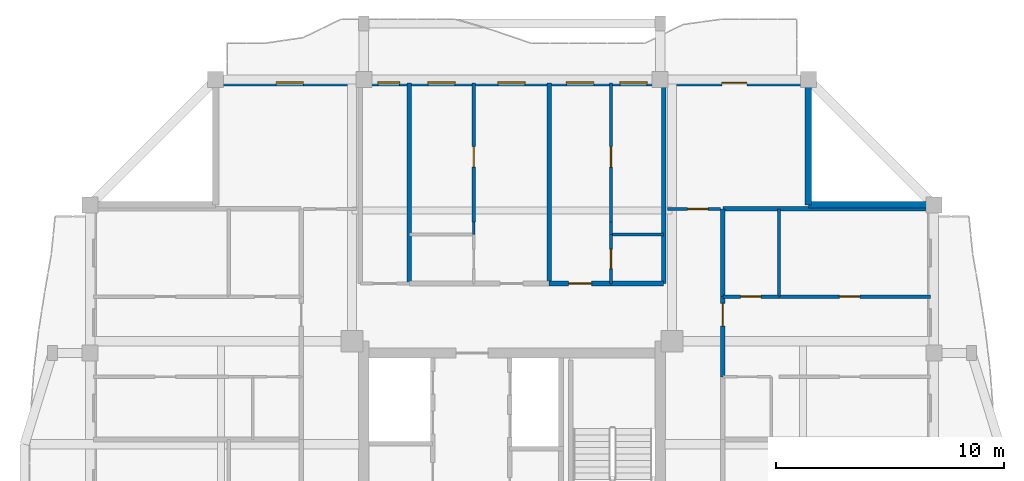
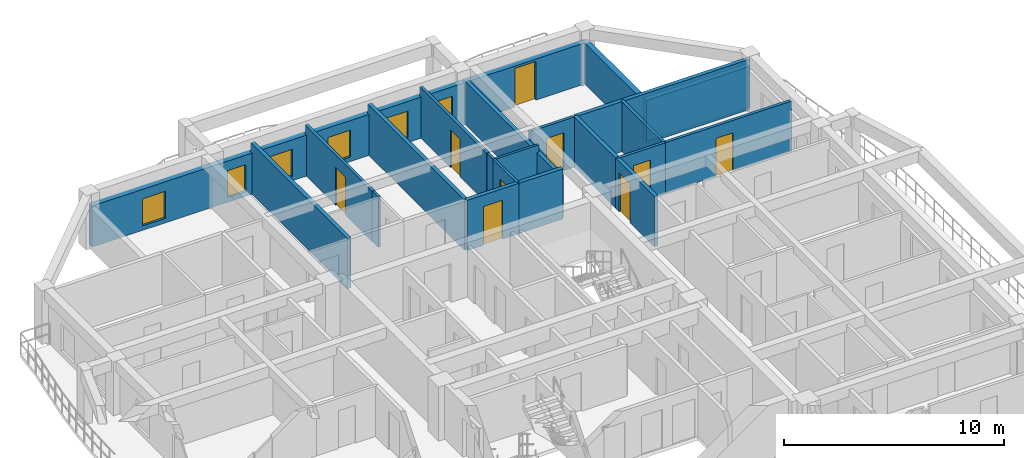
# One storey, part 7 of 14: 21 walls, 9 doors, 6 windows, 15 openings.
"""IFC4 building model written with IfcOpenShell, lengths in metres."""

from ifc_helpers import new_model, si_unit, direction, frame, frame_2d, origin, place, context, subcontext, project, spatial, rectangle, extrude, source, transform, mapped, material, layer, layer_set, type_object, element, fill, save


model = new_model("IFC4")

# Units and contexts
model_context = context("Model", 3, precision=1e-05, world=origin(), true_north=direction((0.0, 1.0)))
body_context = subcontext(model_context, "Body", "Model", "MODEL_VIEW")
ifc_project = project(units=[si_unit("LENGTHUNIT", "METRE"), si_unit("AREAUNIT", "SQUARE_METRE"), si_unit("VOLUMEUNIT", "CUBIC_METRE"), si_unit("PLANEANGLEUNIT", "RADIAN"), si_unit("MASSUNIT", "GRAM", prefix="KILO")], contexts=[model_context])

# Site, building, storey
site_placement = place(None, origin())
site = spatial("IfcSite", under=ifc_project, at=site_placement, CompositionType="ELEMENT")
building_placement = place(site_placement, origin())
building = spatial("IfcBuilding", under=site, at=building_placement, Name="Saelheon Loggia Tower", CompositionType="ELEMENT")
storey_placement = place(building_placement, frame((0.0, 0.0, 213.300048828125)))
storey = spatial("IfcBuildingStorey", under=building, at=storey_placement, Name="L66", CompositionType="ELEMENT", Elevation=213.300048828125)

# Wall, openings, windows, door
ifc_material_1 = material(Name="Architectural Precast Concrete C40/50", Category="concrete")
ifc_layer_1 = layer(ifc_material_1, 0.280029296875)
ifc_layer_set_1 = layer_set([ifc_layer_1], Name="Architectural Precast Concrete C40/50")
wall_type_1 = type_object("IfcWallType", Name="Wall_Ext_Loggia_280", PredefinedType="SOLIDWALL", material=ifc_layer_set_1)
wall_1_placement = place(storey_placement, frame((25.0, 47.860107421875, 0.0), z_axis=(0.0, 0.0, 1.0), x_axis=(1.0, 0.0, 0.0)))
wall_1 = element("IfcWall", 1, at=wall_1_placement, inside=storey, type_object=wall_type_1, Name="L66 North Loggia Inner Wall", PredefinedType="SOLIDWALL", context=body_context, shape_type="SweptSolid", body=[
    extrude(rectangle(XDim=26.0, YDim=0.280029296875, at=frame_2d((13.0, 0.0))), origin(), (0.0, 0.0, 1.0), 2.280029296875),
])
opening_1_placement = place(wall_1_placement, frame((2.64990234375, 0.0, 0.25)))
opening_1 = element("IfcOpeningElement", 2, at=opening_1_placement, cuts=wall_1, Name="Opening WN-03", PredefinedType="OPENING", context=body_context, shape_type="SweptSolid", body=[
    extrude(rectangle(XDim=1.199951171875, YDim=1.5, at=frame_2d((0.60009765625, 0.75))), frame((0.0, 0.152099609375, 0.0), z_axis=(0.0, -1.0, 0.0), x_axis=(1.0, 0.0, 0.0)), (0.0, 0.0, 1.0), 0.303955078125),
])
opening_2_placement = place(wall_1_placement, frame((7.1201171875, 0.0, 0.25)))
opening_2 = element("IfcOpeningElement", 3, at=opening_2_placement, cuts=wall_1, Name="Opening WN-04", PredefinedType="OPENING", context=body_context, shape_type="SweptSolid", body=[
    extrude(rectangle(XDim=0.949951171875, YDim=1.5, at=frame_2d((0.47509765625, 0.75))), frame((0.0, 0.152099609375, 0.0), z_axis=(0.0, -1.0, 0.0), x_axis=(1.0, 0.0, 0.0)), (0.0, 0.0, 1.0), 0.303955078125),
])
opening_3_placement = place(wall_1_placement, frame((9.310546875, 0.0, 0.25)))
opening_3 = element("IfcOpeningElement", 4, at=opening_3_placement, cuts=wall_1, Name="Opening WN-03", PredefinedType="OPENING", context=body_context, shape_type="SweptSolid", body=[
    extrude(rectangle(XDim=1.199951171875, YDim=1.5, at=frame_2d((0.60009765625, 0.75))), frame((0.0, 0.152099609375, 0.0), z_axis=(0.0, -1.0, 0.0), x_axis=(1.0, 0.0, 0.0)), (0.0, 0.0, 1.0), 0.303955078125),
])
opening_4_placement = place(wall_1_placement, frame((12.376708984375, 0.0, 0.25)))
opening_4 = element("IfcOpeningElement", 5, at=opening_4_placement, cuts=wall_1, Name="Opening WN-03", PredefinedType="OPENING", context=body_context, shape_type="SweptSolid", body=[
    extrude(rectangle(XDim=1.199951171875, YDim=1.5, at=frame_2d((0.60009765625, 0.75))), frame((0.0, 0.152099609375, 0.0), z_axis=(0.0, -1.0, 0.0), x_axis=(1.0, 0.0, 0.0)), (0.0, 0.0, 1.0), 0.303955078125),
])
opening_5_placement = place(wall_1_placement, frame((15.38720703125, 0.0, 0.25)))
opening_5 = element("IfcOpeningElement", 6, at=opening_5_placement, cuts=wall_1, Name="Opening WN-03", PredefinedType="OPENING", context=body_context, shape_type="SweptSolid", body=[
    extrude(rectangle(XDim=1.199951171875, YDim=1.5, at=frame_2d((0.60009765625, 0.75))), frame((0.0, 0.152099609375, 0.0), z_axis=(0.0, -1.0, 0.0), x_axis=(1.0, 0.0, 0.0)), (0.0, 0.0, 1.0), 0.303955078125),
])
opening_6_placement = place(wall_1_placement, frame((17.72607421875, 0.0, 0.25)))
opening_6 = element("IfcOpeningElement", 7, at=opening_6_placement, cuts=wall_1, Name="Opening WN-03", PredefinedType="OPENING", context=body_context, shape_type="SweptSolid", body=[
    extrude(rectangle(XDim=1.199951171875, YDim=1.5, at=frame_2d((0.60009765625, 0.75))), frame((0.0, 0.152099609375, 0.0), z_axis=(0.0, -1.0, 0.0), x_axis=(1.0, 0.0, 0.0)), (0.0, 0.0, 1.0), 0.303955078125),
])
opening_7_placement = place(wall_1_placement, frame((22.199951171875, 0.0, 0.0)))
opening_7 = element("IfcOpeningElement", 8, at=opening_7_placement, cuts=wall_1, Name="Opening TD1", PredefinedType="OPENING", context=body_context, shape_type="SweptSolid", body=[
    extrude(rectangle(XDim=1.10009765625, YDim=2.14990234375, at=frame_2d((0.550048828125, 1.074951171875))), frame((0.0, 0.152099609375, 0.0), z_axis=(0.0, -1.0, 0.0), x_axis=(1.0, 0.0, 0.0)), (0.0, 0.0, 1.0), 0.303955078125),
])
ifc_material_2 = material(Name="Thermal-Break Aluminium and Triple Low-E Glass", Category="aluminium")
window_type_1 = type_object("IfcWindowType", Name="Win_Bedroom_1200x1500", PartitioningType="SINGLE_PANEL", PredefinedType="WINDOW", material=ifc_material_2)
shared_shape_1 = source(origin(), body_context, "Body", "SweptSolid", [
    extrude(rectangle(XDim=1.199951171875, YDim=1.5, at=frame_2d((0.60009765625, 0.75))), frame((0.0, 0.030029296875, 0.0), z_axis=(0.0, -1.0, 0.0), x_axis=(1.0, 0.0, 0.0)), (0.0, 0.0, 1.0), 0.06005859375),
])
window_1_placement = place(opening_1_placement, origin())
window_1 = element("IfcWindow", 9, at=window_1_placement, inside=storey, type_object=window_type_1, Name="L66 N Dwelling Window 1", OverallHeight=1.5, OverallWidth=1.199951171875, PartitioningType="SINGLE_PANEL", PredefinedType="WINDOW", context=body_context, shape_type="MappedRepresentation", body=[
    mapped(shared_shape_1, transform((0.0, 0.0, 0.0), scale=1.0)),
])
fill(opening_1, window_1)
window_2_placement = place(opening_3_placement, origin())
window_2 = element("IfcWindow", 10, at=window_2_placement, inside=storey, type_object=window_type_1, Name="L66 N Dwelling Window 3", OverallHeight=1.5, OverallWidth=1.199951171875, PartitioningType="SINGLE_PANEL", PredefinedType="WINDOW", context=body_context, shape_type="MappedRepresentation", body=[
    mapped(shared_shape_1, transform((0.0, 0.0, 0.0), scale=1.0)),
])
fill(opening_3, window_2)
window_3_placement = place(opening_4_placement, origin())
window_3 = element("IfcWindow", 11, at=window_3_placement, inside=storey, type_object=window_type_1, Name="L66 N Dwelling Window 4", OverallHeight=1.5, OverallWidth=1.199951171875, PartitioningType="SINGLE_PANEL", PredefinedType="WINDOW", context=body_context, shape_type="MappedRepresentation", body=[
    mapped(shared_shape_1, transform((0.0, 0.0, 0.0), scale=1.0)),
])
fill(opening_4, window_3)
window_4_placement = place(opening_5_placement, origin())
window_4 = element("IfcWindow", 12, at=window_4_placement, inside=storey, type_object=window_type_1, Name="L66 N Dwelling Window 5", OverallHeight=1.5, OverallWidth=1.199951171875, PartitioningType="SINGLE_PANEL", PredefinedType="WINDOW", context=body_context, shape_type="MappedRepresentation", body=[
    mapped(shared_shape_1, transform((0.0, 0.0, 0.0), scale=1.0)),
])
fill(opening_5, window_4)
window_5_placement = place(opening_6_placement, origin())
window_5 = element("IfcWindow", 13, at=window_5_placement, inside=storey, type_object=window_type_1, Name="L66 N Dwelling Window 6", OverallHeight=1.5, OverallWidth=1.199951171875, PartitioningType="SINGLE_PANEL", PredefinedType="WINDOW", context=body_context, shape_type="MappedRepresentation", body=[
    mapped(shared_shape_1, transform((0.0, 0.0, 0.0), scale=1.0)),
])
fill(opening_6, window_5)
ifc_material_3 = material(Name="Thermal-Break Aluminium Glazed Door", Category="aluminium")
door_type_1 = type_object("IfcDoorType", Name="Door_Terrace_TD1", OperationType="NOTDEFINED", PredefinedType="DOOR", material=ifc_material_3)
shared_shape_2 = source(origin(), body_context, "Body", "SweptSolid", [
    extrude(rectangle(XDim=1.10009765625, YDim=2.14990234375, at=frame_2d((0.550048828125, 1.074951171875))), frame((0.0, 0.02490234375, 0.0), z_axis=(0.0, -1.0, 0.0), x_axis=(1.0, 0.0, 0.0)), (0.0, 0.0, 1.0), 0.050048828125),
])
door_1_placement = place(opening_7_placement, origin())
door_1 = element("IfcDoor", 14, at=door_1_placement, inside=storey, type_object=door_type_1, Name="L66 N Loggia Access Door", OperationType="SINGLE_SWING_LEFT", OverallHeight=2.14990234375, OverallWidth=1.10009765625, PredefinedType="DOOR", context=body_context, shape_type="MappedRepresentation", body=[
    mapped(shared_shape_2, transform((0.0, 0.0, 0.0), scale=1.0)),
])
fill(opening_7, door_1)
window_type_2 = type_object("IfcWindowType", Name="Win_Narrow_950x1500", PartitioningType="SINGLE_PANEL", PredefinedType="WINDOW", material=ifc_material_2)
shared_shape_3 = source(origin(), body_context, "Body", "SweptSolid", [
    extrude(rectangle(XDim=0.949951171875, YDim=1.5, at=frame_2d((0.47509765625, 0.75))), frame((0.0, 0.030029296875, 0.0), z_axis=(0.0, -1.0, 0.0), x_axis=(1.0, 0.0, 0.0)), (0.0, 0.0, 1.0), 0.06005859375),
])
window_6_placement = place(opening_2_placement, origin())
window_6 = element("IfcWindow", 15, at=window_6_placement, inside=storey, type_object=window_type_2, Name="L66 N Dwelling Window 2", OverallHeight=1.5, OverallWidth=0.949951171875, PartitioningType="SINGLE_PANEL", PredefinedType="WINDOW", context=body_context, shape_type="MappedRepresentation", body=[
    mapped(shared_shape_3, transform((0.0, 0.0, 0.0), scale=1.0)),
])
fill(opening_2, window_6)

# Walls
for number, where, z_axis, x_axis, name in (
    (16, (51.0, 42.5, 0.0), (0.0, 0.0, 1.0), (0.0, 1.0, 0.0), "L66 Corner Notch Precast Wall NE1"),
    (17, (51.0, 42.5, 0.0), (0.0, 0.0, 1.0), (1.0, 0.0, 0.0), "L66 Corner Notch Precast Wall NE2"),
):
    element("IfcWall", number, at=place(storey_placement, frame(where, z_axis=z_axis, x_axis=x_axis)), inside=storey, type_object=wall_type_1, Name=name, PredefinedType="SOLIDWALL", context=body_context, shape_type="SweptSolid", body=[
        extrude(rectangle(XDim=5.419921875, YDim=0.280029296875, at=frame_2d((2.7099609375, 0.0))), origin(), (0.0, 0.0, 1.0), 2.280029296875),
    ])

# Wall, opening, door
ifc_material_4 = material(Name="Lightweight Autoclaved Aerated Concrete Block and Acoustic Gypsum", Category="concrete")
ifc_layer_2 = layer(ifc_material_4, 0.14990234375)
ifc_layer_set_2 = layer_set([ifc_layer_2], Name="Lightweight Autoclaved Aerated Concrete Block and Acoustic Gypsum")
wall_type_2 = type_object("IfcWallType", Name="Wall_Part_150", PredefinedType="PARTITIONING", material=ifc_layer_set_2)
wall_2_placement = place(storey_placement, frame((44.820068359375, 42.320068359375, 0.0), z_axis=(0.0, 0.0, 1.0), x_axis=(1.0, 0.0, 0.0)))
wall_2 = element("IfcWall", 18, at=wall_2_placement, inside=storey, type_object=wall_type_2, Name="PW-L66-CNE-H", PredefinedType="PARTITIONING", context=body_context, shape_type="SweptSolid", body=[
    extrude(rectangle(XDim=2.329833984375, YDim=0.14990234375, at=frame_2d((1.1650390625, 0.0))), origin(), (0.0, 0.0, 1.0), 2.7900390625),
])
opening_8_placement = place(wall_2_placement, frame((0.8798828125, 0.0, 0.0)))
opening_8 = element("IfcOpeningElement", 19, at=opening_8_placement, cuts=wall_2, Name="Opening D-IN2", PredefinedType="OPENING", context=body_context, shape_type="SweptSolid", body=[
    extrude(rectangle(XDim=0.89990234375, YDim=2.10009765625, at=frame_2d((0.449951171875, 1.050048828125))), frame((0.0, 0.0869140625, 0.0), z_axis=(0.0, -1.0, 0.0), x_axis=(1.0, 0.0, 0.0)), (0.0, 0.0, 1.0), 0.173828125),
])
ifc_material_5 = material(Name="Engineered Oak Flush Door", Category="timber")
door_type_2 = type_object("IfcDoorType", Name="Door_Int_900", OperationType="NOTDEFINED", PredefinedType="DOOR", material=ifc_material_5)
shared_shape_4 = source(origin(), body_context, "Body", "SweptSolid", [
    extrude(rectangle(XDim=0.89990234375, YDim=2.10009765625, at=frame_2d((0.449951171875, 1.050048828125))), frame((0.0, 0.02490234375, 0.0), z_axis=(0.0, -1.0, 0.0), x_axis=(1.0, 0.0, 0.0)), (0.0, 0.0, 1.0), 0.050048828125),
])
door_2_placement = place(opening_8_placement, origin())
door_2 = element("IfcDoor", 20, at=door_2_placement, inside=storey, type_object=door_type_2, Name="L66 Corner Reading Room NE Door", OperationType="SINGLE_SWING_RIGHT", OverallHeight=2.10009765625, OverallWidth=0.89990234375, PredefinedType="DOOR", context=body_context, shape_type="MappedRepresentation", body=[
    mapped(shared_shape_4, transform((0.0, 0.0, 0.0), scale=1.0)),
])
fill(opening_8, door_2)

wall_3_placement = place(storey_placement, frame((36.321044921875, 41.75, 0.0), z_axis=(0.0, 0.0, 1.0), x_axis=(0.0, 1.0, 0.0)))
wall_3 = element("IfcWall", 21, at=wall_3_placement, inside=storey, type_object=wall_type_2, Name="L66 N Partition U10", PredefinedType="PARTITIONING", context=body_context, shape_type="SweptSolid", body=[
    extrude(rectangle(XDim=6.10009765625, YDim=0.14990234375, at=frame_2d((3.050048828125, 0.0))), origin(), (0.0, 0.0, 1.0), 2.7900390625),
])
opening_9_placement = place(wall_3_placement, frame((2.4033203125, 0.0, 0.0)))
opening_9 = element("IfcOpeningElement", 22, at=opening_9_placement, cuts=wall_3, Name="Opening D-IN2", PredefinedType="OPENING", context=body_context, shape_type="SweptSolid", body=[
    extrude(rectangle(XDim=0.89990234375, YDim=2.10009765625, at=frame_2d((0.449951171875, 1.050048828125))), frame((0.0, 0.0869140625, 0.0), z_axis=(0.0, -1.0, 0.0), x_axis=(1.0, 0.0, 0.0)), (0.0, 0.0, 1.0), 0.173828125),
])
door_3_placement = place(opening_9_placement, origin())
door_3 = element("IfcDoor", 23, at=door_3_placement, inside=storey, type_object=door_type_2, Name="Unit U03 Kitchen Door", OperationType="SINGLE_SWING_RIGHT", OverallHeight=2.10009765625, OverallWidth=0.89990234375, PredefinedType="DOOR", context=body_context, shape_type="MappedRepresentation", body=[
    mapped(shared_shape_4, transform((0.0, 0.0, 0.0), scale=1.0)),
])
fill(opening_9, door_3)

wall_4_placement = place(storey_placement, frame((42.341796875, 41.75, 0.0), z_axis=(0.0, 0.0, 1.0), x_axis=(0.0, 1.0, 0.0)))
wall_4 = element("IfcWall", 24, at=wall_4_placement, inside=storey, type_object=wall_type_2, Name="L66 N Partition U17", PredefinedType="PARTITIONING", context=body_context, shape_type="SweptSolid", body=[
    extrude(rectangle(XDim=6.10009765625, YDim=0.14990234375, at=frame_2d((3.050048828125, 0.0))), origin(), (0.0, 0.0, 1.0), 2.7900390625),
])
opening_10_placement = place(wall_4_placement, frame((2.4033203125, 0.0, 0.0)))
opening_10 = element("IfcOpeningElement", 25, at=opening_10_placement, cuts=wall_4, Name="Opening D-IN2", PredefinedType="OPENING", context=body_context, shape_type="SweptSolid", body=[
    extrude(rectangle(XDim=0.89990234375, YDim=2.10009765625, at=frame_2d((0.449951171875, 1.050048828125))), frame((0.0, 0.0869140625, 0.0), z_axis=(0.0, -1.0, 0.0), x_axis=(1.0, 0.0, 0.0)), (0.0, 0.0, 1.0), 0.173828125),
])
door_4_placement = place(opening_10_placement, origin())
door_4 = element("IfcDoor", 26, at=door_4_placement, inside=storey, type_object=door_type_2, Name="Unit U04 Kitchen Door", OperationType="SINGLE_SWING_LEFT", OverallHeight=2.10009765625, OverallWidth=0.89990234375, PredefinedType="DOOR", context=body_context, shape_type="MappedRepresentation", body=[
    mapped(shared_shape_4, transform((0.0, 0.0, 0.0), scale=1.0)),
])
fill(opening_10, door_4)

# Wall
wall_5_placement = place(storey_placement, frame((49.7099609375, 38.477783203125, 0.0), z_axis=(0.0, 0.0, 1.0), x_axis=(0.0, 1.0, 0.0)))
element("IfcWall", 27, at=wall_5_placement, inside=storey, type_object=wall_type_2, Name="L66 E Partition V27", PredefinedType="PARTITIONING", context=body_context, shape_type="SweptSolid", body=[
    extrude(rectangle(XDim=3.84228515625, YDim=0.14990234375, at=frame_2d((1.921142578125, 0.0))), origin(), (0.0, 0.0, 1.0), 2.7900390625),
])

# Wall, opening, door
wall_6_placement = place(storey_placement, frame((47.25, 38.477783203125, 0.0), z_axis=(0.0, 0.0, 1.0), x_axis=(1.0, 0.0, 0.0)))
wall_6 = element("IfcWall", 28, at=wall_6_placement, inside=storey, type_object=wall_type_2, Name="L66 E Partition U30", PredefinedType="PARTITIONING", context=body_context, shape_type="SweptSolid", body=[
    extrude(rectangle(XDim=2.4599609375, YDim=0.14990234375, at=frame_2d((1.22998046875, 0.0))), origin(), (0.0, 0.0, 1.0), 2.7900390625),
])
opening_11_placement = place(wall_6_placement, frame((0.780029296875, 0.0, 0.0)))
opening_11 = element("IfcOpeningElement", 29, at=opening_11_placement, cuts=wall_6, Name="Opening D-IN2", PredefinedType="OPENING", context=body_context, shape_type="SweptSolid", body=[
    extrude(rectangle(XDim=0.89990234375, YDim=2.10009765625, at=frame_2d((0.449951171875, 1.050048828125))), frame((0.0, 0.0869140625, 0.0), z_axis=(0.0, -1.0, 0.0), x_axis=(1.0, 0.0, 0.0)), (0.0, 0.0, 1.0), 0.173828125),
])
door_5_placement = place(opening_11_placement, origin())
door_5 = element("IfcDoor", 30, at=door_5_placement, inside=storey, type_object=door_type_2, Name="Unit U10 Dressing Closet Door", OperationType="SINGLE_SWING_RIGHT", OverallHeight=2.10009765625, OverallWidth=0.89990234375, PredefinedType="DOOR", context=body_context, shape_type="MappedRepresentation", body=[
    mapped(shared_shape_4, transform((0.0, 0.0, 0.0), scale=1.0)),
])
fill(opening_11, door_5)

wall_7_placement = place(storey_placement, frame((49.7099609375, 38.477783203125, 0.0), z_axis=(0.0, 0.0, 1.0), x_axis=(1.0, 0.0, 0.0)))
wall_7 = element("IfcWall", 31, at=wall_7_placement, inside=storey, type_object=wall_type_2, Name="L66 E Partition U31", PredefinedType="PARTITIONING", context=body_context, shape_type="SweptSolid", body=[
    extrude(rectangle(XDim=6.64013671875, YDim=0.14990234375, at=frame_2d((3.320068359375, 0.0))), origin(), (0.0, 0.0, 1.0), 2.7900390625),
])
opening_12_placement = place(wall_7_placement, frame((2.65087890625, 0.0, 0.0)))
opening_12 = element("IfcOpeningElement", 32, at=opening_12_placement, cuts=wall_7, Name="Opening D-IN2", PredefinedType="OPENING", context=body_context, shape_type="SweptSolid", body=[
    extrude(rectangle(XDim=0.89990234375, YDim=2.10009765625, at=frame_2d((0.449951171875, 1.050048828125))), frame((0.0, 0.0869140625, 0.0), z_axis=(0.0, -1.0, 0.0), x_axis=(1.0, 0.0, 0.0)), (0.0, 0.0, 1.0), 0.173828125),
])
door_6_placement = place(opening_12_placement, origin())
door_6 = element("IfcDoor", 33, at=door_6_placement, inside=storey, type_object=door_type_2, Name="Unit U10 Bedroom 1 Door", OperationType="SINGLE_SWING_LEFT", OverallHeight=2.10009765625, OverallWidth=0.89990234375, PredefinedType="DOOR", context=body_context, shape_type="MappedRepresentation", body=[
    mapped(shared_shape_4, transform((0.0, 0.0, 0.0), scale=1.0)),
])
fill(opening_12, door_6)

# Walls
ifc_material_6 = material(Name="Double Acoustic Stud and Fireboard Partition", Category="gypsum")
ifc_layer_3 = layer(ifc_material_6, 0.199951171875)
ifc_layer_set_3 = layer_set([ifc_layer_3], Name="Double Acoustic Stud and Fireboard Partition")
wall_type_3 = type_object("IfcWallType", Name="Wall_Party_200", PredefinedType="PARTITIONING", material=ifc_layer_set_3)
wall_8_placement = place(storey_placement, frame((44.64990234375, 39.050048828125, 0.0), z_axis=(0.0, 0.0, 1.0), x_axis=(0.0, 1.0, 0.0)))
element("IfcWall", 34, at=wall_8_placement, inside=storey, type_object=wall_type_3, Name="L66 N Partition U02", PredefinedType="PARTITIONING", context=body_context, shape_type="SweptSolid", body=[
    extrude(rectangle(XDim=8.800048828125, YDim=0.199951171875, at=frame_2d((4.39990234375, 0.0))), origin(), (0.0, 0.0, 1.0), 2.389892578125),
])
for number, where, z_axis, x_axis, name in (
    (35, (33.5, 39.050048828125, 0.0), (0.0, 0.0, 1.0), (0.0, 1.0, 0.0), "L66 N Partition U03"),
    (36, (39.632568359375, 39.050048828125, 0.0), (0.0, 0.0, 1.0), (0.0, 1.0, 0.0), "L66 N Partition U11"),
):
    element("IfcWall", number, at=place(storey_placement, frame(where, z_axis=z_axis, x_axis=x_axis)), inside=storey, type_object=wall_type_3, Name=name, PredefinedType="PARTITIONING", context=body_context, shape_type="SweptSolid", body=[
        extrude(rectangle(XDim=8.800048828125, YDim=0.199951171875, at=frame_2d((4.39990234375, 0.0))), origin(), (0.0, 0.0, 1.0), 2.7900390625),
    ])

# Wall, opening, door
wall_9_placement = place(storey_placement, frame((39.632568359375, 39.050048828125, 0.0), z_axis=(0.0, 0.0, 1.0), x_axis=(1.0, 0.0, 0.0)))
wall_9 = element("IfcWall", 37, at=wall_9_placement, inside=storey, type_object=wall_type_3, Name="L66 N Partition V12", PredefinedType="PARTITIONING", context=body_context, shape_type="SweptSolid", body=[
    extrude(rectangle(XDim=2.709228515625, YDim=0.199951171875, at=frame_2d((1.3544921875, 0.0))), origin(), (0.0, 0.0, 1.0), 2.7900390625),
])
opening_13_placement = place(wall_9_placement, frame((0.854736328125, 0.0, 0.0)))
opening_13 = element("IfcOpeningElement", 38, at=opening_13_placement, cuts=wall_9, Name="Opening D-FD1", PredefinedType="OPENING", context=body_context, shape_type="SweptSolid", body=[
    extrude(rectangle(XDim=1.0, YDim=2.14990234375, at=frame_2d((0.5, 1.074951171875))), frame((0.0, 0.112060546875, 0.0), z_axis=(0.0, -1.0, 0.0), x_axis=(1.0, 0.0, 0.0)), (0.0, 0.0, 1.0), 0.223876953125),
])
ifc_material_7 = material(Name="Fire-Rated Engineered Timber Entrance Door", Category="wood")
door_type_3 = type_object("IfcDoorType", Name="Door_Flat_FD30S", OperationType="NOTDEFINED", PredefinedType="DOOR", material=ifc_material_7)
shared_shape_5 = source(origin(), body_context, "Body", "SweptSolid", [
    extrude(rectangle(XDim=1.0, YDim=2.14990234375, at=frame_2d((0.5, 1.074951171875))), frame((0.0, 0.02490234375, 0.0), z_axis=(0.0, -1.0, 0.0), x_axis=(1.0, 0.0, 0.0)), (0.0, 0.0, 1.0), 0.050048828125),
])
door_7_placement = place(opening_13_placement, origin())
door_7 = element("IfcDoor", 39, at=door_7_placement, inside=storey, type_object=door_type_3, Name="Unit U04 Entrance Door", OperationType="SINGLE_SWING_LEFT", OverallHeight=2.14990234375, OverallWidth=1.0, PredefinedType="DOOR", context=body_context, shape_type="MappedRepresentation", body=[
    mapped(shared_shape_5, transform((0.0, 0.0, 0.0), scale=1.0)),
])
fill(opening_13, door_7)

# Walls
wall_10_placement = place(storey_placement, frame((42.341796875, 39.050048828125, 0.0), z_axis=(0.0, 0.0, 1.0), x_axis=(1.0, 0.0, 0.0)))
element("IfcWall", 40, at=wall_10_placement, inside=storey, type_object=wall_type_3, Name="L66 N Partition V13", PredefinedType="PARTITIONING", context=body_context, shape_type="SweptSolid", body=[
    extrude(rectangle(XDim=2.30810546875, YDim=0.199951171875, at=frame_2d((1.154052734375, 0.0))), origin(), (0.0, 0.0, 1.0), 2.7900390625),
])
wall_11_placement = place(storey_placement, frame((47.25, 42.320068359375, 0.0), z_axis=(0.0, 0.0, 1.0), x_axis=(1.0, 0.0, 0.0)))
element("IfcWall", 41, at=wall_11_placement, inside=storey, type_object=wall_type_3, Name="L66 E Partition U02", PredefinedType="PARTITIONING", context=body_context, shape_type="SweptSolid", body=[
    extrude(rectangle(XDim=9.10009765625, YDim=0.199951171875, at=frame_2d((4.550048828125, 0.0))), origin(), (0.0, 0.0, 1.0), 2.7900390625),
])

# Wall, opening, door
wall_12_placement = place(storey_placement, frame((47.25, 34.958740234375, 0.0), z_axis=(0.0, 0.0, 1.0), x_axis=(0.0, 1.0, 0.0)))
wall_12 = element("IfcWall", 42, at=wall_12_placement, inside=storey, type_object=wall_type_3, Name="L66 E Partition V24", PredefinedType="PARTITIONING", context=body_context, shape_type="SweptSolid", body=[
    extrude(rectangle(XDim=3.51904296875, YDim=0.199951171875, at=frame_2d((1.759521484375, 0.0))), origin(), (0.0, 0.0, 1.0), 2.7900390625),
])
opening_14_placement = place(wall_12_placement, frame((2.21728515625, 0.0, 0.0)))
opening_14 = element("IfcOpeningElement", 43, at=opening_14_placement, cuts=wall_12, Name="Opening D-FD1", PredefinedType="OPENING", context=body_context, shape_type="SweptSolid", body=[
    extrude(rectangle(XDim=1.0, YDim=2.14990234375, at=frame_2d((0.5, 1.074951171875))), frame((0.0, 0.112060546875, 0.0), z_axis=(0.0, -1.0, 0.0), x_axis=(1.0, 0.0, 0.0)), (0.0, 0.0, 1.0), 0.223876953125),
])
door_8_placement = place(opening_14_placement, origin())
door_8 = element("IfcDoor", 44, at=door_8_placement, inside=storey, type_object=door_type_3, Name="Unit U10 Entrance Door", OperationType="SINGLE_SWING_LEFT", OverallHeight=2.14990234375, OverallWidth=1.0, PredefinedType="DOOR", context=body_context, shape_type="MappedRepresentation", body=[
    mapped(shared_shape_5, transform((0.0, 0.0, 0.0), scale=1.0)),
])
fill(opening_14, door_8)

# Walls
wall_13_placement = place(storey_placement, frame((47.25, 38.477783203125, 0.0), z_axis=(0.0, 0.0, 1.0), x_axis=(0.0, 1.0, 0.0)))
element("IfcWall", 45, at=wall_13_placement, inside=storey, type_object=wall_type_3, Name="L66 E Partition V25", PredefinedType="PARTITIONING", context=body_context, shape_type="SweptSolid", body=[
    extrude(rectangle(XDim=3.84228515625, YDim=0.199951171875, at=frame_2d((1.921142578125, 0.0))), origin(), (0.0, 0.0, 1.0), 2.7900390625),
])
ifc_material_8 = material(Name="Moisture-Resistant Cement Board Partition", Category="gypsum")
ifc_layer_4 = layer(ifc_material_8, 0.1201171875)
ifc_layer_set_4 = layer_set([ifc_layer_4], Name="Moisture-Resistant Cement Board Partition")
wall_type_4 = type_object("IfcWallType", Name="Wall_WetPart_120", PredefinedType="PARTITIONING", material=ifc_layer_set_4)
wall_14_placement = place(storey_placement, frame((36.321044921875, 41.199951171875, 0.0), z_axis=(0.0, 0.0, 1.0), x_axis=(0.0, 1.0, 0.0)))
element("IfcWall", 46, at=wall_14_placement, inside=storey, type_object=wall_type_4, Name="L66 N Partition U08", PredefinedType="PARTITIONING", context=body_context, shape_type="SweptSolid", body=[
    extrude(rectangle(XDim=0.550048828125, YDim=0.1201171875, at=frame_2d((0.27490234375, 0.0))), origin(), (0.0, 0.0, 1.0), 2.7900390625),
])

# Wall, opening, door
wall_15_placement = place(storey_placement, frame((42.341796875, 39.050048828125, 0.0), z_axis=(0.0, 0.0, 1.0), x_axis=(0.0, 1.0, 0.0)))
wall_15 = element("IfcWall", 47, at=wall_15_placement, inside=storey, type_object=wall_type_4, Name="L66 N Partition U14", PredefinedType="PARTITIONING", context=body_context, shape_type="SweptSolid", body=[
    extrude(rectangle(XDim=2.14990234375, YDim=0.1201171875, at=frame_2d((1.074951171875, 0.0))), origin(), (0.0, 0.0, 1.0), 2.7900390625),
])
opening_15_placement = place(wall_15_placement, frame((0.64990234375, 0.0, 0.0)))
opening_15 = element("IfcOpeningElement", 48, at=opening_15_placement, cuts=wall_15, Name="Opening D-BT1", PredefinedType="OPENING", context=body_context, shape_type="SweptSolid", body=[
    extrude(rectangle(XDim=0.85009765625, YDim=2.050048828125, at=frame_2d((0.425048828125, 1.02490234375))), frame((0.0, 0.072021484375, 0.0), z_axis=(0.0, -1.0, 0.0), x_axis=(1.0, 0.0, 0.0)), (0.0, 0.0, 1.0), 0.14404296875),
])
ifc_material_9 = material(Name="Moisture-Resistant Laminate Timber Door", Category="wood")
door_type_4 = type_object("IfcDoorType", Name="Door_Bath_850", OperationType="NOTDEFINED", PredefinedType="DOOR", material=ifc_material_9)
shared_shape_6 = source(origin(), body_context, "Body", "SweptSolid", [
    extrude(rectangle(XDim=0.85009765625, YDim=2.050048828125, at=frame_2d((0.425048828125, 1.02490234375))), frame((0.0, 0.02490234375, 0.0), z_axis=(0.0, -1.0, 0.0), x_axis=(1.0, 0.0, 0.0)), (0.0, 0.0, 1.0), 0.050048828125),
])
door_9_placement = place(opening_15_placement, origin())
door_9 = element("IfcDoor", 49, at=door_9_placement, inside=storey, type_object=door_type_4, Name="Unit U04 Bathroom Door", OperationType="SINGLE_SWING_RIGHT", OverallHeight=2.050048828125, OverallWidth=0.85009765625, PredefinedType="DOOR", context=body_context, shape_type="MappedRepresentation", body=[
    mapped(shared_shape_6, transform((0.0, 0.0, 0.0), scale=1.0)),
])
fill(opening_15, door_9)

# Walls
wall_16_placement = place(storey_placement, frame((42.341796875, 41.199951171875, 0.0), z_axis=(0.0, 0.0, 1.0), x_axis=(0.0, 1.0, 0.0)))
element("IfcWall", 50, at=wall_16_placement, inside=storey, type_object=wall_type_4, Name="L66 N Partition U15", PredefinedType="PARTITIONING", context=body_context, shape_type="SweptSolid", body=[
    extrude(rectangle(XDim=0.550048828125, YDim=0.1201171875, at=frame_2d((0.27490234375, 0.0))), origin(), (0.0, 0.0, 1.0), 2.7900390625),
])
wall_17_placement = place(storey_placement, frame((42.341796875, 41.199951171875, 0.0), z_axis=(0.0, 0.0, 1.0), x_axis=(1.0, 0.0, 0.0)))
element("IfcWall", 51, at=wall_17_placement, inside=storey, type_object=wall_type_4, Name="L66 N Partition V16", PredefinedType="PARTITIONING", context=body_context, shape_type="SweptSolid", body=[
    extrude(rectangle(XDim=2.30810546875, YDim=0.1201171875, at=frame_2d((1.154052734375, 0.0))), origin(), (0.0, 0.0, 1.0), 2.7900390625),
])

save(model, "model.ifc")
